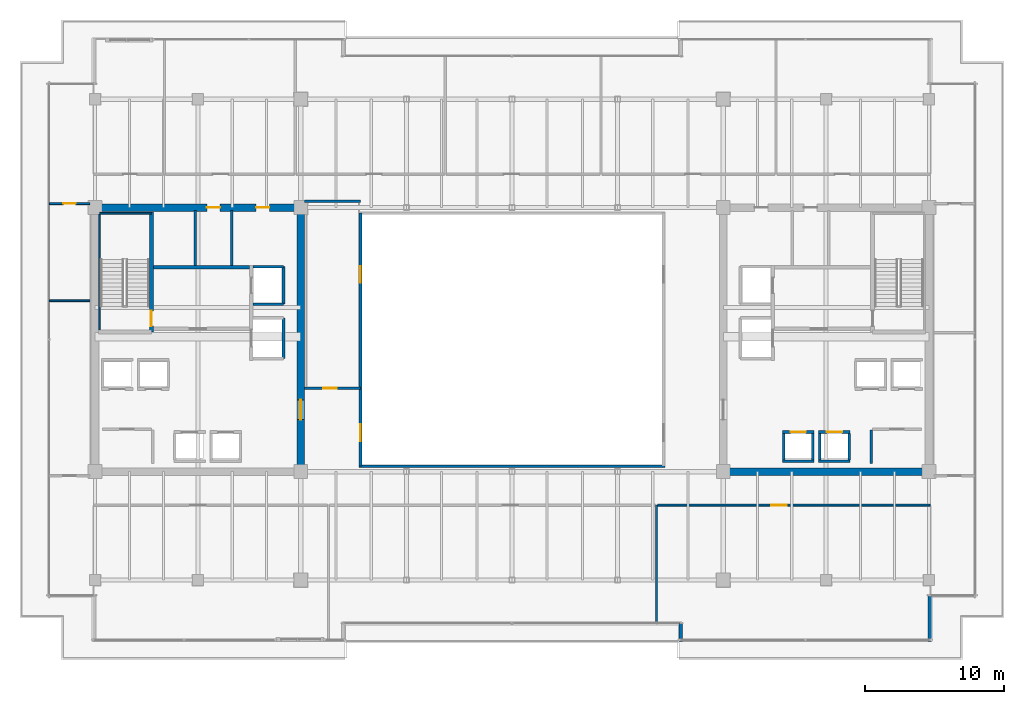
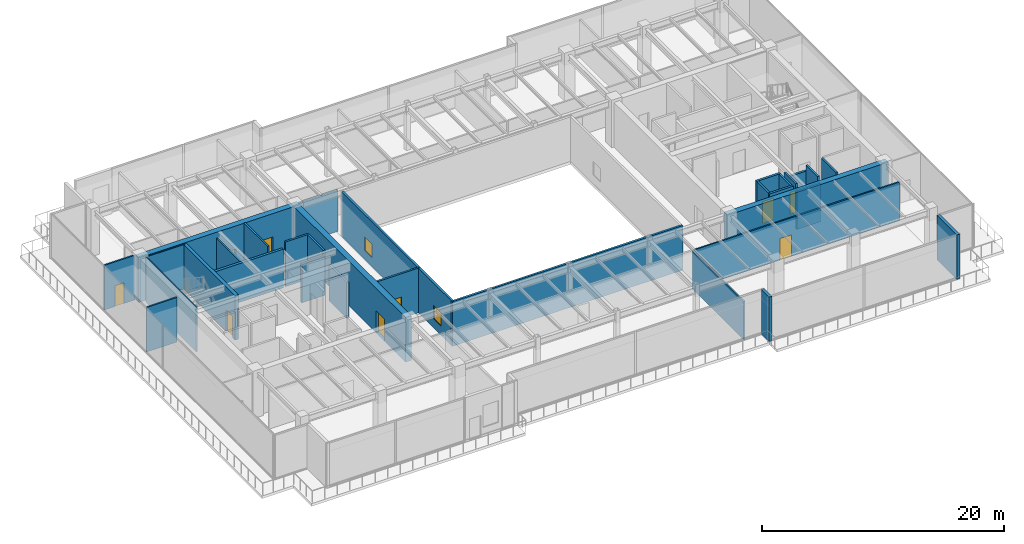
# One storey, part 29 of 37: 32 walls, 9 doors, 2 windows, 11 openings.
"""IFC4 building model written with IfcOpenShell, lengths in metres."""

from ifc_helpers import new_model, si_unit, direction, frame, frame_2d, origin, place, context, subcontext, project, spatial, rectangle, extrude, source, transform, mapped, material, layer, layer_set, type_object, type_shapes, element, fill, save


model = new_model("IFC4")

# Units and contexts
model_context = context("Model", 3, precision=1e-05, world=origin(), true_north=direction((0.0, 1.0)))
body_context = subcontext(model_context, "Body", "Model", "MODEL_VIEW")
ifc_project = project(units=[si_unit("LENGTHUNIT", "METRE"), si_unit("AREAUNIT", "SQUARE_METRE"), si_unit("VOLUMEUNIT", "CUBIC_METRE"), si_unit("PLANEANGLEUNIT", "RADIAN"), si_unit("MASSUNIT", "GRAM", prefix="KILO")], contexts=[model_context])

# Site, building, storey
site_placement = place(None, origin())
site = spatial("IfcSite", under=ifc_project, at=site_placement, CompositionType="ELEMENT")
building_placement = place(site_placement, origin())
building = spatial("IfcBuilding", under=site, at=building_placement, Name="Haelvirn Gate Laboratories", CompositionType="ELEMENT")
storey_placement = place(building_placement, frame((0.0, 0.0, 196.60009765625)))
storey = spatial("IfcBuildingStorey", under=building, at=storey_placement, Name="L47", CompositionType="ELEMENT", Elevation=196.60009765625)

# Walls
ifc_material_1 = material(Name="Thermally-broken bronze aluminium rainscreen & mineral wool", Category="aluminium")
ifc_layer_1 = layer(ifc_material_1, 0.280029296875, Name="EW-TERR-280")
ifc_layer_set_1 = layer_set([ifc_layer_1], Name="Thermally-broken bronze aluminium rainscreen & mineral wool")
wall_type_1 = type_object("IfcWallType", Name="EW-TERR-280", PredefinedType="STANDARD", material=ifc_layer_set_1)
wall_1_placement = place(storey_placement, frame((49.5400390625, 3.89306640625, 0.0), z_axis=(0.0, 0.0, 1.0), x_axis=(0.0, -1.0, 0.0)))
element("IfcWall", 1, at=wall_1_placement, inside=storey, type_object=wall_type_1, Name="L47 Atrium Recess Bronze Return Wall 03", PredefinedType="STANDARD", context=body_context, shape_type="SweptSolid", body=[
    extrude(rectangle(XDim=1.29296875, YDim=0.280029296875, at=frame_2d((0.646484375, 0.0))), origin(), (0.0, 0.0, 1.0), 4.5),
])
wall_2_placement = place(storey_placement, frame((67.4599609375, 2.60009765625, 0.0), z_axis=(0.0, 0.0, 1.0), x_axis=(0.0, 1.0, 0.0)))
element("IfcWall", 2, at=wall_2_placement, inside=storey, type_object=wall_type_1, Name="L47 Atrium Recess Bronze Return Wall 05", PredefinedType="STANDARD", context=body_context, shape_type="SweptSolid", body=[
    extrude(rectangle(XDim=3.287841796875, YDim=0.280029296875, at=frame_2d((1.64404296875, 0.0))), origin(), (0.0, 0.0, 1.0), 4.5),
])
ifc_material_2 = material(Name="Double-layer acoustic gypsum laboratory partition", Category="gypsum")
ifc_layer_2 = layer(ifc_material_2, 0.159912109375, Name="IW-ACOUST-160")
ifc_layer_set_2 = layer_set([ifc_layer_2], Name="Double-layer acoustic gypsum laboratory partition")
wall_type_2 = type_object("IfcWallType", Name="IW-ACOUST-160", PredefinedType="PARTITIONING", material=ifc_layer_set_2)
wall_3_placement = place(storey_placement, frame((47.800048828125, 3.909912109375, 0.0), z_axis=(0.0, 0.0, 1.0), x_axis=(0.0, 1.0, 0.0)))
element("IfcWall", 3, at=wall_3_placement, inside=storey, type_object=wall_type_2, Name="L47 Interior Wall IW-L47-SDIV-02", PredefinedType="PARTITIONING", context=body_context, shape_type="SweptSolid", body=[
    extrude(rectangle(XDim=8.47998046875, YDim=0.159912109375, at=frame_2d((4.239990234375, 0.0))), origin(), (0.0, 0.0, 1.0), 3.8349609375),
])
ifc_material_3 = material(Name="Fire-rated acoustic gypsum board partition", Category="gypsum")
ifc_layer_3 = layer(ifc_material_3, 0.175048828125, Name="IW-ACOUST-180")
ifc_layer_set_3 = layer_set([ifc_layer_3], Name="Fire-rated acoustic gypsum board partition")
wall_type_3 = type_object("IfcWallType", Name="IW-ACOUST-180", PredefinedType="PARTITIONING", material=ifc_layer_set_3)
wall_4_placement = place(storey_placement, frame((22.47509765625, 34.260009765625, 0.0), z_axis=(0.0, 0.0, 1.0), x_axis=(1.0, 0.0, 0.0)))
element("IfcWall", 4, at=wall_4_placement, inside=storey, type_object=wall_type_3, Name="L47 Interior Wall IW-L47-WPOD-N", PredefinedType="PARTITIONING", context=body_context, shape_type="SweptSolid", body=[
    extrude(rectangle(XDim=4.02490234375, YDim=0.175048828125, at=frame_2d((2.012451171875, 0.0))), origin(), (0.0, 0.0, 1.0), 4.184814453125),
])

# Wall, opening, door
wall_5_placement = place(storey_placement, frame((22.47509765625, 20.800048828125, 0.0), z_axis=(0.0, 0.0, 1.0), x_axis=(1.0, 0.0, 0.0)))
wall_5 = element("IfcWall", 5, at=wall_5_placement, inside=storey, type_object=wall_type_3, Name="L47 Interior Wall IW-L47-WPOD-S", PredefinedType="PARTITIONING", context=body_context, shape_type="SweptSolid", body=[
    extrude(rectangle(XDim=4.02490234375, YDim=0.175048828125, at=frame_2d((2.012451171875, 0.0))), origin(), (0.0, 0.0, 1.0), 4.5),
])
opening_1_placement = place(wall_5_placement, frame((1.35009765625, 0.0, 0.0)))
opening_1 = element("IfcOpeningElement", 6, at=opening_1_placement, cuts=wall_5, Name="Opening FD4", PredefinedType="OPENING", context=body_context, shape_type="SweptSolid", body=[
    extrude(rectangle(XDim=0.949951171875, YDim=2.14990234375, at=frame_2d((0.47509765625, 1.074951171875))), frame((0.0, 0.09765625, 0.0), z_axis=(0.0, -1.0, 0.0), x_axis=(1.0, 0.0, 0.0)), (0.0, 0.0, 1.0), 0.195068359375),
])
ifc_material_4 = material(Name="Fire-rated steel SM355 core service door", Category="steel")
door_type_1 = type_object("IfcDoorType", Name="DR-FD-950", OperationType="NOTDEFINED", PredefinedType="DOOR", material=ifc_material_4)
shared_shape_1 = source(origin(), body_context, "Body", "SweptSolid", [
    extrude(rectangle(XDim=0.949951171875, YDim=2.14990234375, at=frame_2d((0.47509765625, 1.074951171875))), frame((0.0, 0.02490234375, 0.0), z_axis=(0.0, -1.0, 0.0), x_axis=(1.0, 0.0, 0.0)), (0.0, 0.0, 1.0), 0.050048828125),
])
type_shapes(door_type_1, [shared_shape_1])
door_1_placement = place(opening_1_placement, origin())
door_1 = element("IfcDoor", 7, at=door_1_placement, inside=storey, type_object=door_type_1, Name="L47 High-Zone Computational Suite Door", OperationType="SINGLE_SWING_RIGHT", OverallHeight=2.14990234375, OverallWidth=0.949951171875, PredefinedType="DOOR", context=body_context, shape_type="MappedRepresentation", body=[
    mapped(shared_shape_1, transform((0.0, 0.0, 0.0), scale=1.0)),
])
fill(opening_1, door_1)

# Wall, openings, windows
ifc_material_5 = material(Name="Tempered fire-rated borosilicate glass & anodised aluminium", Category="aluminium")
ifc_layer_4 = layer(ifc_material_5, 0.195068359375, Name="IW-GLAZ-200")
ifc_layer_set_4 = layer_set([ifc_layer_4], Name="Tempered fire-rated borosilicate glass & anodised aluminium")
wall_type_4 = type_object("IfcWallType", Name="IW-GLAZ-200", PredefinedType="SOLIDWALL", material=ifc_layer_set_4)
wall_6_placement = place(storey_placement, frame((26.5, 15.199951171875, 0.0), z_axis=(0.0, 0.0, 1.0), x_axis=(0.0, 1.0, 0.0)))
wall_6 = element("IfcWall", 8, at=wall_6_placement, inside=storey, type_object=wall_type_4, Name="L47 Interior Wall IW-L47-ATRIUM-W", PredefinedType="SOLIDWALL", context=body_context, shape_type="SweptSolid", body=[
    extrude(rectangle(XDim=18.199951171875, YDim=0.195068359375, at=frame_2d((9.10009765625, 0.0))), origin(), (0.0, 0.0, 1.0), 4.5),
])
opening_2_placement = place(wall_6_placement, frame((1.800048828125, 0.0, 0.89990234375)))
opening_2 = element("IfcOpeningElement", 9, at=opening_2_placement, cuts=wall_6, Name="Opening W6", PredefinedType="OPENING", context=body_context, shape_type="SweptSolid", body=[
    extrude(rectangle(XDim=1.199951171875, YDim=1.35009765625, at=frame_2d((0.60009765625, 0.675048828125))), frame((0.0, 0.107421875, 0.0), z_axis=(0.0, -1.0, 0.0), x_axis=(1.0, 0.0, 0.0)), (0.0, 0.0, 1.0), 0.215087890625),
])
opening_3_placement = place(wall_6_placement, frame((13.199951171875, 0.0, 0.89990234375)))
opening_3 = element("IfcOpeningElement", 10, at=opening_3_placement, cuts=wall_6, Name="Opening W6", PredefinedType="OPENING", context=body_context, shape_type="SweptSolid", body=[
    extrude(rectangle(XDim=1.199951171875, YDim=1.35009765625, at=frame_2d((0.60009765625, 0.675048828125))), frame((0.0, 0.107421875, 0.0), z_axis=(0.0, -1.0, 0.0), x_axis=(1.0, 0.0, 0.0)), (0.0, 0.0, 1.0), 0.215087890625),
])
ifc_material_6 = material(Name="Fire-rated EI 120 borosilicate atrium vision glazing", Category="glass")
window_type = type_object("IfcWindowType", Name="WN-ATR-1200", PartitioningType="SINGLE_PANEL", PredefinedType="WINDOW", material=ifc_material_6)
shared_shape_2 = source(origin(), body_context, "Body", "SweptSolid", [
    extrude(rectangle(XDim=1.199951171875, YDim=1.35009765625, at=frame_2d((0.60009765625, 0.675048828125))), frame((0.0, 0.030029296875, 0.0), z_axis=(0.0, -1.0, 0.0), x_axis=(1.0, 0.0, 0.0)), (0.0, 0.0, 1.0), 0.06005859375),
])
type_shapes(window_type, [shared_shape_2])
window_1_placement = place(opening_2_placement, origin())
window_1 = element("IfcWindow", 11, at=window_1_placement, inside=storey, type_object=window_type, Name="L47 Atrium Observation Window 1", OverallHeight=1.35009765625, OverallWidth=1.199951171875, PartitioningType="SINGLE_PANEL", PredefinedType="WINDOW", context=body_context, shape_type="MappedRepresentation", body=[
    mapped(shared_shape_2, transform((0.0, 0.0, 0.0), scale=1.0)),
])
fill(opening_2, window_1)
window_2_placement = place(opening_3_placement, origin())
window_2 = element("IfcWindow", 12, at=window_2_placement, inside=storey, type_object=window_type, Name="L47 Atrium Observation Window 2", OverallHeight=1.35009765625, OverallWidth=1.199951171875, PartitioningType="SINGLE_PANEL", PredefinedType="WINDOW", context=body_context, shape_type="MappedRepresentation", body=[
    mapped(shared_shape_2, transform((0.0, 0.0, 0.0), scale=1.0)),
])
fill(opening_3, window_2)

# Wall
wall_7_placement = place(storey_placement, frame((26.39990234375, 15.199951171875, 0.0), z_axis=(0.0, 0.0, 1.0), x_axis=(1.0, 0.0, 0.0)))
element("IfcWall", 13, at=wall_7_placement, inside=storey, type_object=wall_type_4, Name="L47 Interior Wall IW-L47-ATRIUM-S", PredefinedType="SOLIDWALL", context=body_context, shape_type="SweptSolid", body=[
    extrude(rectangle(XDim=22.0, YDim=0.195068359375, at=frame_2d((11.0, 0.0))), origin(), (0.0, 0.0, 1.0), 4.5),
])

# Wall, opening, door
ifc_material_7 = material(Name="Acoustic mineral-wool gypsum board partition", Category="gypsum")
ifc_layer_5 = layer(ifc_material_7, 0.139892578125, Name="IW-PART-140")
ifc_layer_set_5 = layer_set([ifc_layer_5], Name="Acoustic mineral-wool gypsum board partition")
wall_type_5 = type_object("IfcWallType", Name="IW-PART-140", PredefinedType="PARTITIONING", material=ifc_layer_set_5)
wall_8_placement = place(storey_placement, frame((47.8798828125, 12.389892578125, 0.0), z_axis=(0.0, 0.0, 1.0), x_axis=(1.0, 0.0, 0.0)))
wall_8 = element("IfcWall", 14, at=wall_8_placement, inside=storey, type_object=wall_type_5, Name="L47 Interior Wall IW-L47-SCORR-03", PredefinedType="PARTITIONING", context=body_context, shape_type="SweptSolid", body=[
    extrude(rectangle(XDim=19.610107421875, YDim=0.139892578125, at=frame_2d((9.80517578125, 0.0))), origin(), (0.0, 0.0, 1.0), 3.89697265625),
])
opening_4_placement = place(wall_8_placement, frame((8.186279296875, 0.0, 0.0)))
opening_4 = element("IfcOpeningElement", 15, at=opening_4_placement, cuts=wall_8, Name="Opening D1", PredefinedType="OPENING", context=body_context, shape_type="SweptSolid", body=[
    extrude(rectangle(XDim=1.10009765625, YDim=2.179931640625, at=frame_2d((0.550048828125, 1.08984375))), frame((0.0, 0.080078125, 0.0), z_axis=(0.0, -1.0, 0.0), x_axis=(1.0, 0.0, 0.0)), (0.0, 0.0, 1.0), 0.159912109375),
])
ifc_material_8 = material(Name="Vision-panel acoustic solid-core timber lab door", Category="wood")
door_type_2 = type_object("IfcDoorType", Name="DR-LAB-1100", OperationType="NOTDEFINED", PredefinedType="DOOR", material=ifc_material_8)
shared_shape_3 = source(origin(), body_context, "Body", "SweptSolid", [
    extrude(rectangle(XDim=1.10009765625, YDim=2.179931640625, at=frame_2d((0.550048828125, 1.08984375))), frame((0.0, 0.02490234375, 0.0), z_axis=(0.0, -1.0, 0.0), x_axis=(1.0, 0.0, 0.0)), (0.0, 0.0, 1.0), 0.050048828125),
])
type_shapes(door_type_2, [shared_shape_3])
door_2_placement = place(opening_4_placement, origin())
door_2 = element("IfcDoor", 16, at=door_2_placement, inside=storey, type_object=door_type_2, Name="L47 Executive Conference Suite Door S3", OperationType="SINGLE_SWING_RIGHT", OverallHeight=2.179931640625, OverallWidth=1.10009765625, PredefinedType="DOOR", context=body_context, shape_type="MappedRepresentation", body=[
    mapped(shared_shape_3, transform((0.0, 0.0, 0.0), scale=1.0)),
])
fill(opening_4, door_2)

# Wall
wall_9_placement = place(storey_placement, frame((4.110107421875, 27.10009765625, 0.0), z_axis=(0.0, 0.0, 1.0), x_axis=(1.0, 0.0, 0.0)))
element("IfcWall", 17, at=wall_9_placement, inside=storey, type_object=wall_type_5, Name="L47 Interior Wall IW-L47-WZ3-MID", PredefinedType="PARTITIONING", context=body_context, shape_type="SweptSolid", body=[
    extrude(rectangle(XDim=2.909912109375, YDim=0.139892578125, at=frame_2d((1.455078125, 0.0))), origin(), (0.0, 0.0, 1.0), 4.5),
])

# Wall, opening, door
wall_10_placement = place(storey_placement, frame((4.110107421875, 34.094970703125, 0.0), z_axis=(0.0, 0.0, 1.0), x_axis=(1.0, 0.0, 0.0)))
wall_10 = element("IfcWall", 18, at=wall_10_placement, inside=storey, type_object=wall_type_5, Name="L47 Interior Wall IW-L47-WZ3-ENT-N", PredefinedType="PARTITIONING", context=body_context, shape_type="SweptSolid", body=[
    extrude(rectangle(XDim=2.909912109375, YDim=0.139892578125, at=frame_2d((1.455078125, 0.0))), origin(), (0.0, 0.0, 1.0), 4.5),
])
opening_5_placement = place(wall_10_placement, frame((1.0048828125, 0.0, 0.0)))
opening_5 = element("IfcOpeningElement", 19, at=opening_5_placement, cuts=wall_10, Name="Opening D4", PredefinedType="OPENING", context=body_context, shape_type="SweptSolid", body=[
    extrude(rectangle(XDim=0.89990234375, YDim=2.10009765625, at=frame_2d((0.449951171875, 1.050048828125))), frame((0.0, 0.080078125, 0.0), z_axis=(0.0, -1.0, 0.0), x_axis=(1.0, 0.0, 0.0)), (0.0, 0.0, 1.0), 0.159912109375),
])
ifc_material_9 = material(Name="Glazed aluminium-framed write-up door", Category="aluminium")
door_type_3 = type_object("IfcDoorType", Name="DR-OFF-900", OperationType="NOTDEFINED", PredefinedType="DOOR", material=ifc_material_9)
shared_shape_4 = source(origin(), body_context, "Body", "SweptSolid", [
    extrude(rectangle(XDim=0.89990234375, YDim=2.10009765625, at=frame_2d((0.449951171875, 1.050048828125))), frame((0.0, 0.02490234375, 0.0), z_axis=(0.0, -1.0, 0.0), x_axis=(1.0, 0.0, 0.0)), (0.0, 0.0, 1.0), 0.050048828125),
])
type_shapes(door_type_3, [shared_shape_4])
door_3_placement = place(opening_5_placement, origin())
door_3 = element("IfcDoor", 20, at=door_3_placement, inside=storey, type_object=door_type_3, Name="L47 Computational Write-Up Office Door W-N", OperationType="SINGLE_SWING_RIGHT", OverallHeight=2.10009765625, OverallWidth=0.89990234375, PredefinedType="DOOR", context=body_context, shape_type="MappedRepresentation", body=[
    mapped(shared_shape_4, transform((0.0, 0.0, 0.0), scale=1.0)),
])
fill(opening_5, door_3)

# Walls
ifc_material_10 = material(Name="Cement-board restroom plumbing chase wall", Category="gypsum")
ifc_layer_6 = layer(ifc_material_10, 0.155029296875, Name="IW-PLUMB-160")
ifc_layer_set_6 = layer_set([ifc_layer_6], Name="Cement-board restroom plumbing chase wall")
wall_type_6 = type_object("IfcWallType", Name="IW-PLUMB-160", PredefinedType="PLUMBINGWALL", material=ifc_layer_set_6)
wall_11_placement = place(storey_placement, frame((14.610107421875, 29.64990234375, 0.0), z_axis=(0.0, 0.0, 1.0), x_axis=(0.0, 1.0, 0.0)))
element("IfcWall", 21, at=wall_11_placement, inside=storey, type_object=wall_type_6, Name="L47 Interior Wall IW-L47-W-CDIV-0", PredefinedType="PLUMBINGWALL", context=body_context, shape_type="SweptSolid", body=[
    extrude(rectangle(XDim=3.93017578125, YDim=0.155029296875, at=frame_2d((1.965087890625, 0.0))), origin(), (0.0, 0.0, 1.0), 3.89697265625),
])
wall_12_placement = place(storey_placement, frame((17.239990234375, 29.64990234375, 0.0), z_axis=(0.0, 0.0, 1.0), x_axis=(0.0, 1.0, 0.0)))
element("IfcWall", 22, at=wall_12_placement, inside=storey, type_object=wall_type_6, Name="L47 Interior Wall IW-L47-W-CDIV-1", PredefinedType="PLUMBINGWALL", context=body_context, shape_type="SweptSolid", body=[
    extrude(rectangle(XDim=3.93017578125, YDim=0.155029296875, at=frame_2d((1.965087890625, 0.0))), origin(), (0.0, 0.0, 1.0), 4.5),
])
ifc_material_11 = material(Name="Concrete C40/50", Category="concrete")
ifc_layer_7 = layer(ifc_material_11, 0.179931640625, Name="IW-SHAFT-180")
ifc_layer_set_7 = layer_set([ifc_layer_7], Name="Concrete C40/50")
wall_type_7 = type_object("IfcWallType", Name="IW-SHAFT-180", PredefinedType="SOLIDWALL", material=ifc_layer_set_7)
for number, where, z_axis, x_axis, name in (
    (23, (59.550048828125, 15.64990234375, 0.0), (0.0, 0.0, 1.0), (0.0, 1.0, 0.0), "L47 Interior Wall IW-L47-PL7-SD"),
    (24, (61.64990234375, 15.64990234375, 0.0), (0.0, 0.0, 1.0), (0.0, 1.0, 0.0), "L47 Interior Wall IW-L47-PL7-SDE"),
    (25, (56.949951171875, 15.64990234375, 0.0), (0.0, 0.0, 1.0), (0.0, 1.0, 0.0), "L47 Interior Wall IW-L47-PL8-SD"),
    (26, (59.050048828125, 15.64990234375, 0.0), (0.0, 0.0, 1.0), (0.0, 1.0, 0.0), "L47 Interior Wall IW-L47-PL8-SDE"),
):
    element("IfcWall", number, at=place(storey_placement, frame(where, z_axis=z_axis, x_axis=x_axis)), inside=storey, type_object=wall_type_7, Name=name, PredefinedType="SOLIDWALL", context=body_context, shape_type="SweptSolid", body=[
        extrude(rectangle(XDim=1.900146484375, YDim=0.179931640625, at=frame_2d((0.9501953125, 0.0))), origin(), (0.0, 0.0, 1.0), 4.5),
    ])
wall_13_placement = place(storey_placement, frame((63.260009765625, 15.39990234375, 0.0), z_axis=(0.0, 0.0, 1.0), x_axis=(0.0, 1.0, 0.0)))
element("IfcWall", 27, at=wall_13_placement, inside=storey, type_object=wall_type_7, Name="L47 Interior Wall IW-L47-E-FREED-LE-1", PredefinedType="SOLIDWALL", context=body_context, shape_type="SweptSolid", body=[
    extrude(rectangle(XDim=2.400146484375, YDim=0.179931640625, at=frame_2d((1.2001953125, 0.0))), origin(), (0.0, 0.0, 1.0), 4.5),
])
ifc_layer_8 = layer(ifc_material_11, 0.199951171875, Name="IW-SHAFT-200")
ifc_layer_set_8 = layer_set([ifc_layer_8], Name="Concrete C40/50")
wall_type_8 = type_object("IfcWallType", Name="IW-SHAFT-200", PredefinedType="SOLIDWALL", material=ifc_layer_set_8)
wall_14_placement = place(storey_placement, frame((20.949951171875, 26.85009765625, 0.0), z_axis=(0.0, 0.0, 1.0), x_axis=(0.0, 1.0, 0.0)))
element("IfcWall", 28, at=wall_14_placement, inside=storey, type_object=wall_type_8, Name="L47 Interior Wall IW-L47-FL1-BK", PredefinedType="SOLIDWALL", context=body_context, shape_type="SweptSolid", body=[
    extrude(rectangle(XDim=2.699951171875, YDim=0.199951171875, at=frame_2d((1.35009765625, 0.0))), origin(), (0.0, 0.0, 1.0), 4.5),
])
wall_15_placement = place(storey_placement, frame((18.760009765625, 29.550048828125, 0.0), z_axis=(0.0, 0.0, 1.0), x_axis=(1.0, 0.0, 0.0)))
element("IfcWall", 29, at=wall_15_placement, inside=storey, type_object=wall_type_8, Name="L47 Interior Wall IW-L47-FL1-N", PredefinedType="SOLIDWALL", context=body_context, shape_type="SweptSolid", body=[
    extrude(rectangle(XDim=2.18994140625, YDim=0.199951171875, at=frame_2d((1.094970703125, 0.0))), origin(), (0.0, 0.0, 1.0), 4.5),
])
wall_16_placement = place(storey_placement, frame((18.760009765625, 26.85009765625, 0.0), z_axis=(0.0, 0.0, 1.0), x_axis=(1.0, 0.0, 0.0)))
element("IfcWall", 30, at=wall_16_placement, inside=storey, type_object=wall_type_8, Name="L47 Interior Wall IW-L47-FL1-S", PredefinedType="SOLIDWALL", context=body_context, shape_type="SweptSolid", body=[
    extrude(rectangle(XDim=2.18994140625, YDim=0.199951171875, at=frame_2d((1.094970703125, 0.0))), origin(), (0.0, 0.0, 1.0), 3.89697265625),
])
wall_17_placement = place(storey_placement, frame((20.949951171875, 22.949951171875, 0.0), z_axis=(0.0, 0.0, 1.0), x_axis=(0.0, 1.0, 0.0)))
element("IfcWall", 31, at=wall_17_placement, inside=storey, type_object=wall_type_8, Name="L47 Interior Wall IW-L47-SL1-BK", PredefinedType="SOLIDWALL", context=body_context, shape_type="SweptSolid", body=[
    extrude(rectangle(XDim=2.900146484375, YDim=0.199951171875, at=frame_2d((1.4501953125, 0.0))), origin(), (0.0, 0.0, 1.0), 3.635009765625),
])

# Wall, opening, door
wall_18_placement = place(storey_placement, frame((59.469970703125, 17.64990234375, 0.0), z_axis=(0.0, 0.0, 1.0), x_axis=(1.0, 0.0, 0.0)))
wall_18 = element("IfcWall", 32, at=wall_18_placement, inside=storey, type_object=wall_type_8, Name="L47 Interior Wall IW-L47-PL7-FR", PredefinedType="SOLIDWALL", context=body_context, shape_type="SweptSolid", body=[
    extrude(rectangle(XDim=2.260009765625, YDim=0.199951171875, at=frame_2d((1.1298828125, 0.0))), origin(), (0.0, 0.0, 1.0), 3.89697265625),
])
opening_6_placement = place(wall_18_placement, frame((0.580078125, 0.0, 0.0)))
opening_6 = element("IfcOpeningElement", 33, at=opening_6_placement, cuts=wall_18, Name="Opening LD2", PredefinedType="OPENING", context=body_context, shape_type="SweptSolid", body=[
    extrude(rectangle(XDim=1.10009765625, YDim=2.219970703125, at=frame_2d((0.550048828125, 1.10986328125))), frame((0.0, 0.10986328125, 0.0), z_axis=(0.0, -1.0, 0.0), x_axis=(1.0, 0.0, 0.0)), (0.0, 0.0, 1.0), 0.219970703125),
])
ifc_material_12 = material(Name="Bronze stainless 316L sliding lift landing door")
door_type_4 = type_object("IfcDoorType", Name="DR-LD-1100", OperationType="NOTDEFINED", PredefinedType="USERDEFINED", material=ifc_material_12)
shared_shape_5 = source(origin(), body_context, "Body", "SweptSolid", [
    extrude(rectangle(XDim=1.10009765625, YDim=2.219970703125, at=frame_2d((0.550048828125, 1.10986328125))), frame((0.0, 0.02490234375, 0.0), z_axis=(0.0, -1.0, 0.0), x_axis=(1.0, 0.0, 0.0)), (0.0, 0.0, 1.0), 0.050048828125),
])
type_shapes(door_type_4, [shared_shape_5])
door_4_placement = place(opening_6_placement, origin())
door_4 = element("IfcDoor", 34, at=door_4_placement, inside=storey, type_object=door_type_4, Name="L47 Passenger Lift PL7 Landing Door", ObjectType="LANDING_DOOR", OperationType="SLIDING_TO_LEFT", OverallHeight=2.219970703125, OverallWidth=1.10009765625, PredefinedType="USERDEFINED", context=body_context, shape_type="MappedRepresentation", body=[
    mapped(shared_shape_5, transform((0.0, 0.0, 0.0), scale=1.0)),
])
fill(opening_6, door_4)

# Wall
wall_19_placement = place(storey_placement, frame((59.469970703125, 15.550048828125, 0.0), z_axis=(0.0, 0.0, 1.0), x_axis=(1.0, 0.0, 0.0)))
element("IfcWall", 35, at=wall_19_placement, inside=storey, type_object=wall_type_8, Name="L47 Interior Wall IW-L47-PL7-BK", PredefinedType="SOLIDWALL", context=body_context, shape_type="SweptSolid", body=[
    extrude(rectangle(XDim=2.260009765625, YDim=0.199951171875, at=frame_2d((1.1298828125, 0.0))), origin(), (0.0, 0.0, 1.0), 3.89697265625),
])

# Wall, opening, door
wall_20_placement = place(storey_placement, frame((56.8701171875, 17.64990234375, 0.0), z_axis=(0.0, 0.0, 1.0), x_axis=(1.0, 0.0, 0.0)))
wall_20 = element("IfcWall", 36, at=wall_20_placement, inside=storey, type_object=wall_type_8, Name="L47 Interior Wall IW-L47-PL8-FR", PredefinedType="SOLIDWALL", context=body_context, shape_type="SweptSolid", body=[
    extrude(rectangle(XDim=2.259765625, YDim=0.199951171875, at=frame_2d((1.1298828125, 0.0))), origin(), (0.0, 0.0, 1.0), 4.5),
])
opening_7_placement = place(wall_20_placement, frame((0.580078125, 0.0, 0.0)))
opening_7 = element("IfcOpeningElement", 37, at=opening_7_placement, cuts=wall_20, Name="Opening LD2", PredefinedType="OPENING", context=body_context, shape_type="SweptSolid", body=[
    extrude(rectangle(XDim=1.10009765625, YDim=2.219970703125, at=frame_2d((0.550048828125, 1.10986328125))), frame((0.0, 0.10986328125, 0.0), z_axis=(0.0, -1.0, 0.0), x_axis=(1.0, 0.0, 0.0)), (0.0, 0.0, 1.0), 0.219970703125),
])
door_5_placement = place(opening_7_placement, origin())
door_5 = element("IfcDoor", 38, at=door_5_placement, inside=storey, type_object=door_type_4, Name="L47 Passenger Lift PL8 Landing Door", ObjectType="LANDING_DOOR", OperationType="SLIDING_TO_RIGHT", OverallHeight=2.219970703125, OverallWidth=1.10009765625, PredefinedType="USERDEFINED", context=body_context, shape_type="MappedRepresentation", body=[
    mapped(shared_shape_5, transform((0.0, 0.0, 0.0), scale=1.0)),
])
fill(opening_7, door_5)

# Walls
wall_21_placement = place(storey_placement, frame((56.8701171875, 15.550048828125, 0.0), z_axis=(0.0, 0.0, 1.0), x_axis=(1.0, 0.0, 0.0)))
element("IfcWall", 39, at=wall_21_placement, inside=storey, type_object=wall_type_8, Name="L47 Interior Wall IW-L47-PL8-BK", PredefinedType="SOLIDWALL", context=body_context, shape_type="SweptSolid", body=[
    extrude(rectangle(XDim=2.259765625, YDim=0.199951171875, at=frame_2d((1.1298828125, 0.0))), origin(), (0.0, 0.0, 1.0), 4.5),
])
ifc_layer_9 = layer(ifc_material_11, 0.239990234375, Name="IW-SHAFT-240")
ifc_layer_set_9 = layer_set([ifc_layer_9], Name="Concrete C40/50")
wall_type_9 = type_object("IfcWallType", Name="IW-SHAFT-240", PredefinedType="SOLIDWALL", material=ifc_layer_set_9)
wall_22_placement = place(storey_placement, frame((11.60009765625, 29.52001953125, 0.0), z_axis=(0.0, 0.0, 1.0), x_axis=(1.0, 0.0, 0.0)))
element("IfcWall", 40, at=wall_22_placement, inside=storey, type_object=wall_type_9, Name="L47 Interior Wall IW-L47-W-FF-N", PredefinedType="SOLIDWALL", context=body_context, shape_type="SweptSolid", body=[
    extrude(rectangle(XDim=6.919921875, YDim=0.239990234375, at=frame_2d((3.4599609375, 0.0))), origin(), (0.0, 0.0, 1.0), 3.89697265625),
])

# Wall, openings, doors
ifc_material_13 = material(Name="Concrete C50/60", Category="concrete")
ifc_layer_10 = layer(ifc_material_13, 0.550048828125, Name="SW-CORE-550")
ifc_layer_set_10 = layer_set([ifc_layer_10], Name="Concrete C50/60")
wall_type_10 = type_object("IfcWallType", Name="SW-CORE-550", PredefinedType="SHEAR", material=ifc_layer_set_10)
wall_23_placement = place(storey_placement, frame((7.125, 33.800048828125, 0.0), z_axis=(0.0, 0.0, 1.0), x_axis=(1.0, 0.0, 0.0)))
wall_23 = element("IfcWall", 41, at=wall_23_placement, inside=storey, type_object=wall_type_10, Name="L47 W Core Shear Wall N", PredefinedType="SHEAR", context=body_context, shape_type="SweptSolid", body=[
    extrude(rectangle(XDim=15.35009765625, YDim=0.550048828125, at=frame_2d((7.675048828125, 0.0))), origin(), (0.0, 0.0, 1.0), 4.5),
])
opening_8_placement = place(wall_23_placement, frame((8.324951171875, 0.0, 0.0)))
opening_8 = element("IfcOpeningElement", 42, at=opening_8_placement, cuts=wall_23, Name="Opening FD4", PredefinedType="OPENING", context=body_context, shape_type="SweptSolid", body=[
    extrude(rectangle(XDim=0.949951171875, YDim=2.14990234375, at=frame_2d((0.47509765625, 1.074951171875))), frame((0.0, 0.28515625, 0.0), z_axis=(0.0, -1.0, 0.0), x_axis=(1.0, 0.0, 0.0)), (0.0, 0.0, 1.0), 0.570068359375),
])
opening_9_placement = place(wall_23_placement, frame((11.864990234375, 0.0, 0.0)))
opening_9 = element("IfcOpeningElement", 43, at=opening_9_placement, cuts=wall_23, Name="Opening FD4", PredefinedType="OPENING", context=body_context, shape_type="SweptSolid", body=[
    extrude(rectangle(XDim=0.949951171875, YDim=2.14990234375, at=frame_2d((0.47509765625, 1.074951171875))), frame((0.0, 0.28515625, 0.0), z_axis=(0.0, -1.0, 0.0), x_axis=(1.0, 0.0, 0.0)), (0.0, 0.0, 1.0), 0.570068359375),
])
door_6_placement = place(opening_8_placement, origin())
door_6 = element("IfcDoor", 44, at=door_6_placement, inside=storey, type_object=door_type_1, Name="L47 Accessible Restroom Fire Door", OperationType="SINGLE_SWING_RIGHT", OverallHeight=2.14990234375, OverallWidth=0.949951171875, PredefinedType="DOOR", context=body_context, shape_type="MappedRepresentation", body=[
    mapped(shared_shape_1, transform((0.0, 0.0, 0.0), scale=1.0)),
])
fill(opening_8, door_6)
door_7_placement = place(opening_9_placement, origin())
door_7 = element("IfcDoor", 45, at=door_7_placement, inside=storey, type_object=door_type_1, Name="L47 Staff Restroom Fire Door", OperationType="SINGLE_SWING_LEFT", OverallHeight=2.14990234375, OverallWidth=0.949951171875, PredefinedType="DOOR", context=body_context, shape_type="MappedRepresentation", body=[
    mapped(shared_shape_1, transform((0.0, 0.0, 0.0), scale=1.0)),
])
fill(opening_9, door_7)

# Wall, opening, door
wall_24_placement = place(storey_placement, frame((22.199951171875, 15.074951171875, 0.0), z_axis=(0.0, 0.0, 1.0), x_axis=(0.0, 1.0, 0.0)))
wall_24 = element("IfcWall", 46, at=wall_24_placement, inside=storey, type_object=wall_type_10, Name="L47 W Core Shear Wall E", PredefinedType="SHEAR", context=body_context, shape_type="SweptSolid", body=[
    extrude(rectangle(XDim=18.449951171875, YDim=0.550048828125, at=frame_2d((9.22509765625, 0.0))), origin(), (0.0, 0.0, 1.0), 4.5),
])
opening_10_placement = place(wall_24_placement, frame((3.47509765625, 0.0, 0.0)))
opening_10 = element("IfcOpeningElement", 47, at=opening_10_placement, cuts=wall_24, Name="Opening FD1", PredefinedType="OPENING", context=body_context, shape_type="SweptSolid", body=[
    extrude(rectangle(XDim=1.419921875, YDim=2.199951171875, at=frame_2d((0.7099609375, 1.10009765625))), frame((0.0, 0.28515625, 0.0), z_axis=(0.0, -1.0, 0.0), x_axis=(1.0, 0.0, 0.0)), (0.0, 0.0, 1.0), 0.570068359375),
])
ifc_material_14 = material(Name="Fire-rated double steel SM355 lobby door", Category="steel")
door_type_5 = type_object("IfcDoorType", Name="DR-FD-1400", OperationType="NOTDEFINED", PredefinedType="DOOR", material=ifc_material_14)
shared_shape_6 = source(origin(), body_context, "Body", "SweptSolid", [
    extrude(rectangle(XDim=1.419921875, YDim=2.199951171875, at=frame_2d((0.7099609375, 1.10009765625))), frame((0.0, 0.02490234375, 0.0), z_axis=(0.0, -1.0, 0.0), x_axis=(1.0, 0.0, 0.0)), (0.0, 0.0, 1.0), 0.050048828125),
])
type_shapes(door_type_5, [shared_shape_6])
door_8_placement = place(opening_10_placement, origin())
door_8 = element("IfcDoor", 48, at=door_8_placement, inside=storey, type_object=door_type_5, Name="L47 West Core Lift Lobby Fire Door", OperationType="DOUBLE_DOOR_SINGLE_SWING", OverallHeight=2.199951171875, OverallWidth=1.419921875, PredefinedType="DOOR", context=body_context, shape_type="MappedRepresentation", body=[
    mapped(shared_shape_6, transform((0.0, 0.0, 0.0), scale=1.0)),
])
fill(opening_10, door_8)

# Walls
wall_25_placement = place(storey_placement, frame((52.324951171875, 14.800048828125, 0.0), z_axis=(0.0, 0.0, 1.0), x_axis=(1.0, 0.0, 0.0)))
element("IfcWall", 49, at=wall_25_placement, inside=storey, type_object=wall_type_10, Name="L47 E Core Shear Wall S", PredefinedType="SHEAR", context=body_context, shape_type="SweptSolid", body=[
    extrude(rectangle(XDim=15.35009765625, YDim=0.550048828125, at=frame_2d((7.675048828125, 0.0))), origin(), (0.0, 0.0, 1.0), 4.5),
])
ifc_layer_11 = layer(ifc_material_13, 0.1201171875, Name="SW-LINER-120")
ifc_layer_set_11 = layer_set([ifc_layer_11], Name="Concrete C50/60")
wall_type_11 = type_object("IfcWallType", Name="SW-LINER-120", PredefinedType="SOLIDWALL", material=ifc_layer_set_11)
wall_26_placement = place(storey_placement, frame((7.72998046875, 33.39990234375, 0.0), z_axis=(0.0, 0.0, 1.0), x_axis=(1.0, 0.0, 0.0)))
element("IfcWall", 50, at=wall_26_placement, inside=storey, type_object=wall_type_11, Name="L47 W Core Stair Shaft Liner Wall N", PredefinedType="SOLIDWALL", context=body_context, shape_type="SweptSolid", body=[
    extrude(rectangle(XDim=3.719970703125, YDim=0.1201171875, at=frame_2d((1.85986328125, 0.0))), origin(), (0.0, 0.0, 1.0), 4.5),
])
wall_27_placement = place(storey_placement, frame((7.72998046875, 25.0, 0.0), z_axis=(0.0, 0.0, 1.0), x_axis=(0.0, 1.0, 0.0)))
element("IfcWall", 51, at=wall_27_placement, inside=storey, type_object=wall_type_11, Name="L47 W Core Stair Shaft Liner Wall OUT", PredefinedType="SOLIDWALL", context=body_context, shape_type="SweptSolid", body=[
    extrude(rectangle(XDim=8.320068359375, YDim=0.1201171875, at=frame_2d((4.16015625, 0.0))), origin(), (0.0, 0.0, 1.0), 4.5),
])

# Wall, opening, door
ifc_layer_12 = layer(ifc_material_13, 0.300048828125, Name="SW-STAIR-300")
ifc_layer_set_12 = layer_set([ifc_layer_12], Name="Concrete C50/60")
wall_type_12 = type_object("IfcWallType", Name="SW-STAIR-300", PredefinedType="SHEAR", material=ifc_layer_set_12)
wall_28_placement = place(storey_placement, frame((11.449951171875, 24.85009765625, 0.0), z_axis=(0.0, 0.0, 1.0), x_axis=(0.0, 1.0, 0.0)))
wall_28 = element("IfcWall", 52, at=wall_28_placement, inside=storey, type_object=wall_type_12, Name="L47 W Core Stair Shaft Structural Wall IN", PredefinedType="SHEAR", context=body_context, shape_type="SweptSolid", body=[
    extrude(rectangle(XDim=8.6298828125, YDim=0.300048828125, at=frame_2d((4.31494140625, 0.0))), origin(), (0.0, 0.0, 1.0), 4.5),
])
opening_11_placement = place(wall_28_placement, frame((0.419921875, 0.0, 0.0)))
opening_11 = element("IfcOpeningElement", 53, at=opening_11_placement, cuts=wall_28, Name="Opening FD3", PredefinedType="OPENING", context=body_context, shape_type="SweptSolid", body=[
    extrude(rectangle(XDim=1.10009765625, YDim=2.14990234375, at=frame_2d((0.550048828125, 1.074951171875))), frame((0.0, 0.16015625, 0.0), z_axis=(0.0, -1.0, 0.0), x_axis=(1.0, 0.0, 0.0)), (0.0, 0.0, 1.0), 0.320068359375),
])
ifc_material_15 = material(Name="Fire-rated steel SM355 escape stair door", Category="steel")
door_type_6 = type_object("IfcDoorType", Name="DR-FD-1100", OperationType="NOTDEFINED", PredefinedType="DOOR", material=ifc_material_15)
shared_shape_7 = source(origin(), body_context, "Body", "SweptSolid", [
    extrude(rectangle(XDim=1.10009765625, YDim=2.14990234375, at=frame_2d((0.550048828125, 1.074951171875))), frame((0.0, 0.02490234375, 0.0), z_axis=(0.0, -1.0, 0.0), x_axis=(1.0, 0.0, 0.0)), (0.0, 0.0, 1.0), 0.050048828125),
])
type_shapes(door_type_6, [shared_shape_7])
door_9_placement = place(opening_11_placement, origin())
door_9 = element("IfcDoor", 54, at=door_9_placement, inside=storey, type_object=door_type_6, Name="L47 Escape Stair ST1 Fire Door", OperationType="SINGLE_SWING_LEFT", OverallHeight=2.14990234375, OverallWidth=1.10009765625, PredefinedType="DOOR", context=body_context, shape_type="MappedRepresentation", body=[
    mapped(shared_shape_7, transform((0.0, 0.0, 0.0), scale=1.0)),
])
fill(opening_11, door_9)

save(model, "model.ifc")
